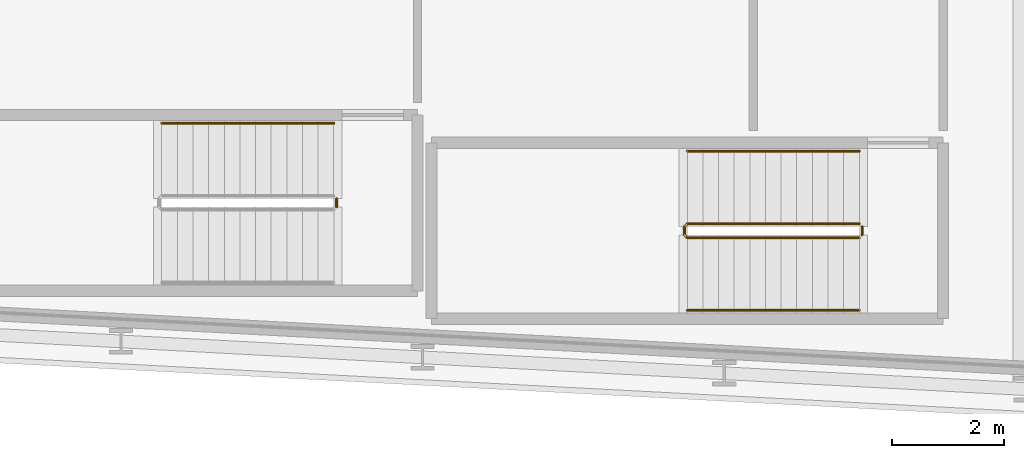
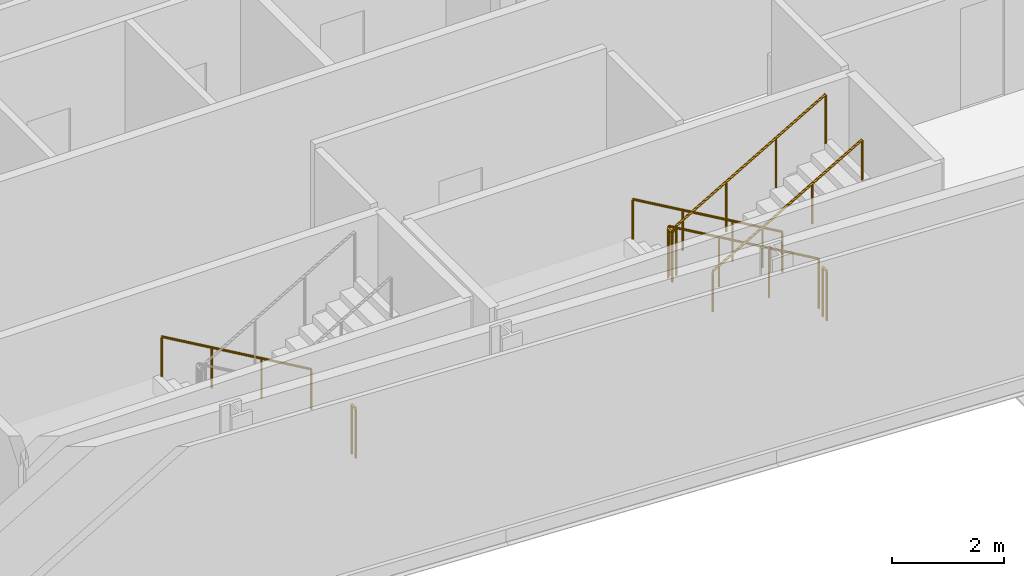
# One storey, part 26 of 29: 6 railings.
"""IFC4 building model written with IfcOpenShell, lengths in metres."""

from ifc_helpers import new_model, si_unit, direction, frame, origin, origin_2d, place, context, subcontext, project, spatial, circle, extrude, material, type_object, element, save


model = new_model("IFC4")

# Units and contexts
model_context = context("Model", 3, precision=1e-05, world=origin(), true_north=direction((0.0, 1.0)))
body_context = subcontext(model_context, "Body", "Model", "MODEL_VIEW")
ifc_project = project(units=[si_unit("LENGTHUNIT", "METRE"), si_unit("AREAUNIT", "SQUARE_METRE"), si_unit("VOLUMEUNIT", "CUBIC_METRE"), si_unit("PLANEANGLEUNIT", "RADIAN"), si_unit("MASSUNIT", "GRAM", prefix="KILO")], contexts=[model_context])

# Site, building, storey
site_placement = place(None, origin())
site = spatial("IfcSite", under=ifc_project, at=site_placement, CompositionType="ELEMENT")
building_placement = place(site_placement, origin())
building = spatial("IfcBuilding", under=site, at=building_placement, Name="Kheshtan School and Residences Tower", CompositionType="ELEMENT")
storey_placement = place(building_placement, frame((0.0, 0.0, 117.5)))
storey = spatial("IfcBuildingStorey", under=building, at=storey_placement, Name="L27", CompositionType="ELEMENT", Elevation=117.5)

# Railings
ifc_material_1 = material(Name="Stainless steel balustrade", Category="steel")
railing_type_1 = type_object("IfcRailingType", Name="Stair guard 1100", PredefinedType="GUARDRAIL", material=ifc_material_1)
railing_1_placement = place(storey_placement, frame((87.820068359375, 23.949951171875, 0.16259765625)))
element("IfcRailing", 1, at=railing_1_placement, inside=storey, type_object=railing_type_1, Name="L27 ST4 stair guard 1", PredefinedType="GUARDRAIL", context=body_context, shape_type="SweptSolid", body=[
    extrude(circle(Radius=0.02392578125, at=origin_2d()), frame((0.0, 0.0, 1.076171875), z_axis=(-0.864920483161, 0.0, 0.501908913857), x_axis=(0.0, -1.0, 0.0)), (0.0, 0.0, 1.0), 3.56103515625),
    extrude(circle(Radius=0.02392578125, at=origin_2d()), frame((-3.080078125, 0.0, 2.86328125), z_axis=(-0.707106781187, -0.707106781187, 0.0), x_axis=(0.707106781187, -0.707106781187, 0.0)), (0.0, 0.0, 1.0), 0.07080078125),
    extrude(circle(Radius=0.02392578125, at=origin_2d()), frame((-3.130126953125, -0.050048828125, 2.86328125), z_axis=(0.0, -1.0, 0.0), x_axis=(1.0, 0.0, 0.0)), (0.0, 0.0, 1.0), 0.14990234375),
    extrude(circle(Radius=0.02392578125, at=origin_2d()), frame((-3.130126953125, -0.199951171875, 2.86328125), z_axis=(0.282227285176, -0.282227285176, 0.916894497205), x_axis=(0.707106781187, 0.707106781187, 0.0)), (0.0, 0.0, 1.0), 0.17724609375),
    extrude(circle(Radius=0.02392578125, at=origin_2d()), frame((-3.080078125, -0.25, 3.02587890625), z_axis=(0.864920483161, 0.0, 0.501908913857), x_axis=(0.0, 1.0, 0.0)), (0.0, 0.0, 1.0), 3.56103515625),
    extrude(circle(Radius=0.02099609375, at=origin_2d()), origin(), (0.0, 0.0, 1.0), 1.052001953125),
    extrude(circle(Radius=0.02099609375, at=origin_2d()), frame((-1.026611328125, 0.0, 0.595703125)), (0.0, 0.0, 1.0), 1.052001953125),
    extrude(circle(Radius=0.02099609375, at=origin_2d()), frame((-2.053466796875, 0.0, 1.191650390625)), (0.0, 0.0, 1.0), 1.052001953125),
    extrude(circle(Radius=0.02099609375, at=origin_2d()), frame((-3.080078125, 0.0, 1.787353515625)), (0.0, 0.0, 1.0), 1.052001953125),
    extrude(circle(Radius=0.02099609375, at=origin_2d()), frame((-3.130126953125, -0.050048828125, 1.787353515625)), (0.0, 0.0, 1.0), 1.052001953125),
    extrude(circle(Radius=0.02099609375, at=origin_2d()), frame((-3.130126953125, -0.199951171875, 1.787353515625)), (0.0, 0.0, 1.0), 1.052001953125),
    extrude(circle(Radius=0.02099609375, at=origin_2d()), frame((-3.080078125, -0.25, 1.949951171875)), (0.0, 0.0, 1.0), 1.052001953125),
    extrude(circle(Radius=0.02099609375, at=origin_2d()), frame((-2.053466796875, -0.25, 2.545654296875)), (0.0, 0.0, 1.0), 1.052001953125),
    extrude(circle(Radius=0.02099609375, at=origin_2d()), frame((-1.026611328125, -0.25, 3.1416015625)), (0.0, 0.0, 1.0), 1.052001953125),
    extrude(circle(Radius=0.02099609375, at=origin_2d()), frame((0.0, -0.25, 3.7373046875)), (0.0, 0.0, 1.0), 1.052001953125),
])
for number, where, name in (
    (2, (87.8701171875, 23.89990234375, 0.0), "L27 ST4 stair guard 2"),
    (3, (78.4599609375, 24.39990234375, 0.0), "L27 ST5 stair guard 2"),
):
    element("IfcRailing", number, at=place(storey_placement, frame(where)), inside=storey, type_object=railing_type_1, Name=name, PredefinedType="GUARDRAIL", context=body_context, shape_type="SweptSolid", body=[
        extrude(circle(Radius=0.02392578125, at=origin_2d()), frame((0.0, 0.0, 1.076171875), z_axis=(0.0, -1.0, 0.0), x_axis=(1.0, 0.0, 0.0)), (0.0, 0.0, 1.0), 0.14990234375),
        extrude(circle(Radius=0.02099609375, at=origin_2d()), origin(), (0.0, 0.0, 1.0), 1.052001953125),
        extrude(circle(Radius=0.02099609375, at=origin_2d()), frame((0.0, -0.14990234375, 0.0)), (0.0, 0.0, 1.0), 1.052001953125),
    ])
ifc_material_2 = material(Name="Stainless steel handrail", Category="steel")
railing_type_2 = type_object("IfcRailingType", Name="Stair handrail 900", PredefinedType="HANDRAIL", material=ifc_material_2)
railing_2_placement = place(storey_placement, frame((87.820068359375, 25.25, 0.16259765625)))
element("IfcRailing", 4, at=railing_2_placement, inside=storey, type_object=railing_type_2, Name="L27 ST4 stair handrail 1", PredefinedType="HANDRAIL", context=body_context, shape_type="SweptSolid", body=[
    extrude(circle(Radius=0.02392578125, at=origin_2d()), frame((0.0, 0.0, 0.8759765625), z_axis=(-0.864920483161, 0.0, 0.501908913857), x_axis=(0.0, -1.0, 0.0)), (0.0, 0.0, 1.0), 3.56103515625),
    extrude(circle(Radius=0.02099609375, at=origin_2d()), origin(), (0.0, 0.0, 1.0), 0.851806640625),
    extrude(circle(Radius=0.02099609375, at=origin_2d()), frame((-1.026611328125, 0.0, 0.595703125)), (0.0, 0.0, 1.0), 0.851806640625),
    extrude(circle(Radius=0.02099609375, at=origin_2d()), frame((-2.053466796875, 0.0, 1.191650390625)), (0.0, 0.0, 1.0), 0.851806640625),
    extrude(circle(Radius=0.02099609375, at=origin_2d()), frame((-3.080078125, 0.0, 1.787353515625)), (0.0, 0.0, 1.0), 0.851806640625),
])
railing_3_placement = place(storey_placement, frame((84.739990234375, 22.39990234375, 2.112548828125)))
element("IfcRailing", 5, at=railing_3_placement, inside=storey, type_object=railing_type_2, Name="L27 ST4 stair handrail 2", PredefinedType="HANDRAIL", context=body_context, shape_type="SweptSolid", body=[
    extrude(circle(Radius=0.02392578125, at=origin_2d()), frame((0.0, 0.0, 0.8759765625), z_axis=(0.864920483161, 0.0, 0.501908913857), x_axis=(0.0, 1.0, 0.0)), (0.0, 0.0, 1.0), 3.56103515625),
    extrude(circle(Radius=0.02099609375, at=origin_2d()), origin(), (0.0, 0.0, 1.0), 0.851806640625),
    extrude(circle(Radius=0.02099609375, at=origin_2d()), frame((1.026611328125, 0.0, 0.595703125)), (0.0, 0.0, 1.0), 0.851806640625),
    extrude(circle(Radius=0.02099609375, at=origin_2d()), frame((2.053466796875, 0.0, 1.191650390625)), (0.0, 0.0, 1.0), 0.851806640625),
    extrude(circle(Radius=0.02099609375, at=origin_2d()), frame((3.080078125, 0.0, 1.787353515625)), (0.0, 0.0, 1.0), 0.851806640625),
])
railing_4_placement = place(storey_placement, frame((78.409912109375, 25.75, 0.16259765625)))
element("IfcRailing", 6, at=railing_4_placement, inside=storey, type_object=railing_type_2, Name="L27 ST5 stair handrail 1", PredefinedType="HANDRAIL", context=body_context, shape_type="SweptSolid", body=[
    extrude(circle(Radius=0.02392578125, at=origin_2d()), frame((0.0, 0.0, 0.8759765625), z_axis=(-0.864903211148, 0.0, 0.501938676878), x_axis=(0.0, -1.0, 0.0)), (0.0, 0.0, 1.0), 3.560791015625),
    extrude(circle(Radius=0.02099609375, at=origin_2d()), origin(), (0.0, 0.0, 1.0), 0.851806640625),
    extrude(circle(Radius=0.02099609375, at=origin_2d()), frame((-1.026611328125, 0.0, 0.595703125)), (0.0, 0.0, 1.0), 0.851806640625),
    extrude(circle(Radius=0.02099609375, at=origin_2d()), frame((-2.05322265625, 0.0, 1.191650390625)), (0.0, 0.0, 1.0), 0.851806640625),
    extrude(circle(Radius=0.02099609375, at=origin_2d()), frame((-3.079833984375, 0.0, 1.787353515625)), (0.0, 0.0, 1.0), 0.851806640625),
])

save(model, "model.ifc")
